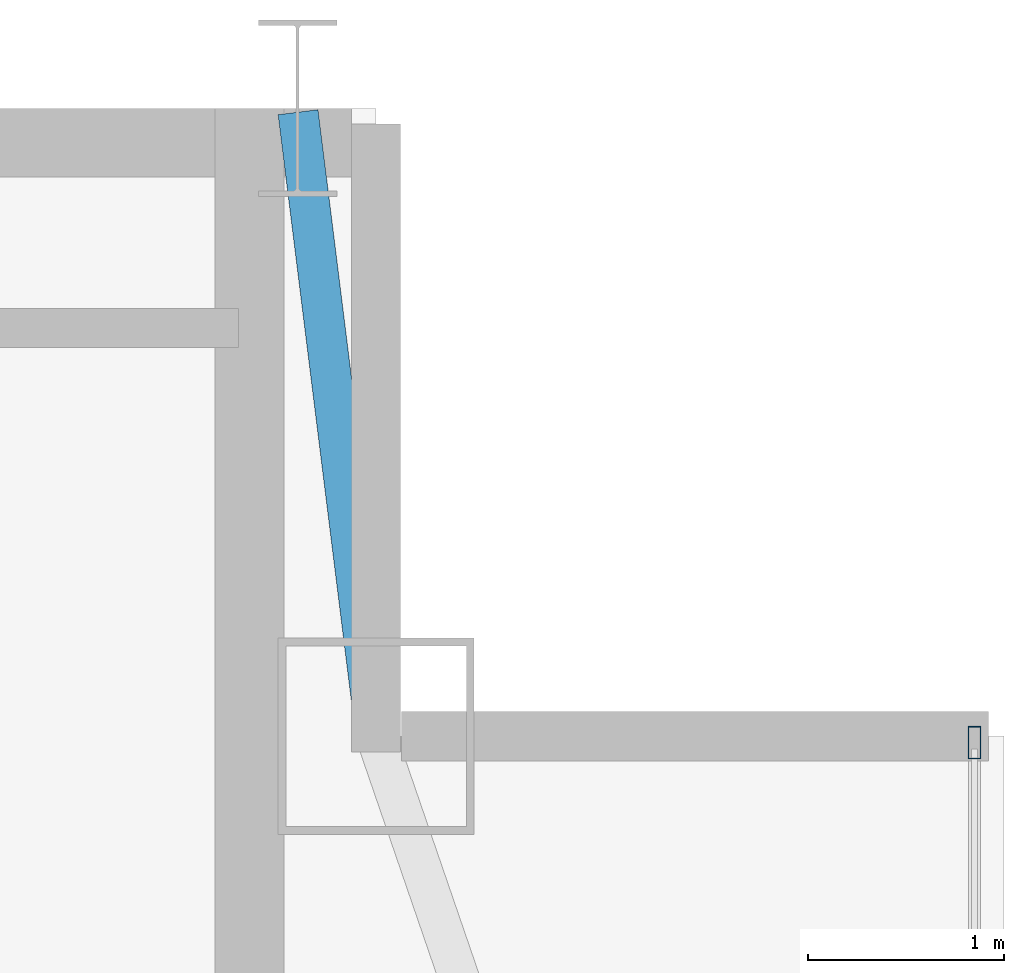
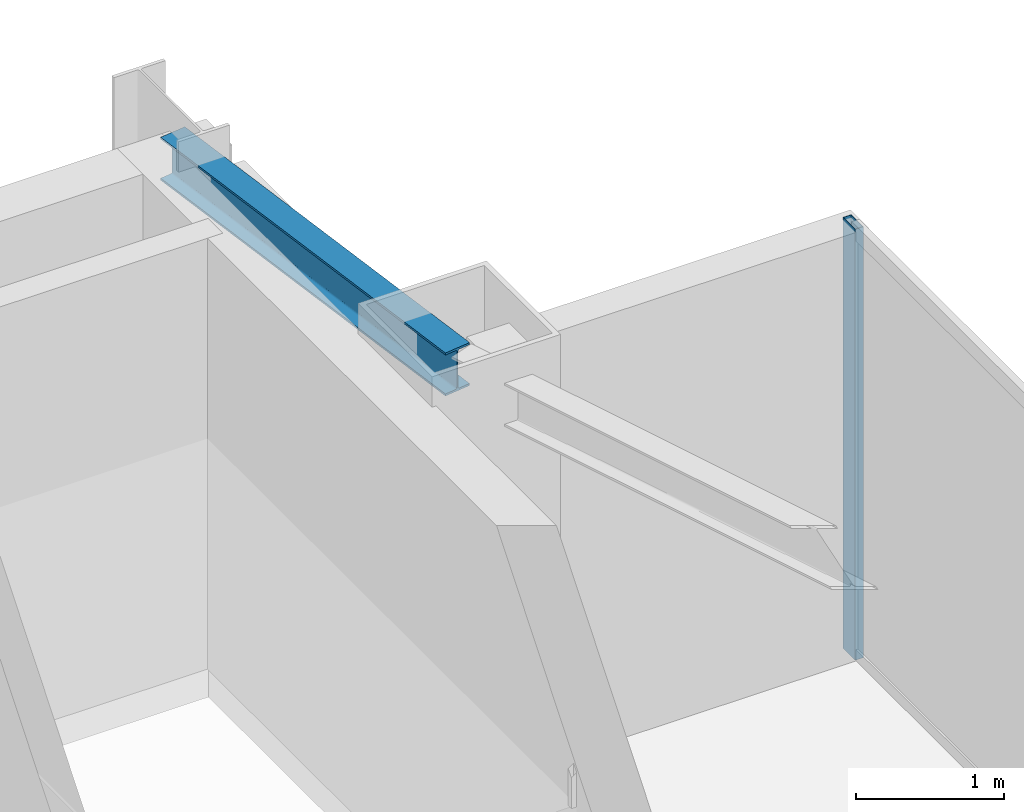
# One storey, part 17 of 25: 1 beam, 1 member, 1 element without a shape of its own.
"""IFC4 building model written with IfcOpenShell, lengths in metres."""

import ifcopenshell
import ifcopenshell.guid

model = None  # the IFC model being written
_history = None  # IfcOwnerHistory: only IFC2X3 demands one
_inside = {}  # id of a spatial element -> (the spatial element, [elements in it])
_under = {}  # id of a project, library or spatial element -> (it, [spatial elements below it])
_declared = {}  # id of a project -> (the project, [libraries it declares])
_typed = {}  # id of a type object -> (the type object, [elements of that type])
_made_of = {}  # id of a material, layer set ... -> (it, [elements and type objects made of it])


def new_model(schema):
    """Start an empty IFC model of exactly this schema.

    Asked for "IFC4X3", IfcOpenShell would pick the latest addendum, in which some entities
    have other attributes; the version numbers below select the first issue.
    IFC2X3 requires an IfcOwnerHistory on every rooted entity: one is made here for all.
    """
    global model, _history
    if schema == "IFC4X3":
        model = ifcopenshell.file(schema_version=(4, 3, 0, 0))
    else:
        model = ifcopenshell.file(schema=schema)
    _inside.clear()
    _under.clear()
    _declared.clear()
    _typed.clear()
    _made_of.clear()
    _history = None
    if model.schema == "IFC2X3":
        org = make("IfcOrganization", Name="unknown")
        user = make(
            "IfcPersonAndOrganization",
            ThePerson=make("IfcPerson", FamilyName="unknown"),
            TheOrganization=org,
        )
        app = make(
            "IfcApplication",
            ApplicationDeveloper=org,
            Version="unknown",
            ApplicationFullName="unknown",
            ApplicationIdentifier="unknown",
        )
        _history = make(
            "IfcOwnerHistory",
            OwningUser=user,
            OwningApplication=app,
            ChangeAction="ADDED",
            CreationDate=0,
        )
    return model


def make(cls, **values):
    """One entity of the class cls with the attributes given. An attribute that is None is left unset."""
    return model.create_entity(
        cls, **{name: value for name, value in values.items() if value is not None}
    )


def rooted(cls, **values):
    """An entity with a GlobalId (a new one), such as an element, a storey or a relation."""
    return make(cls, GlobalId=ifcopenshell.guid.new(), OwnerHistory=_history, **values)


def si_unit(unit_type, name, prefix=None):
    """IfcSIUnit, for example si_unit("LENGTHUNIT", "METRE", prefix="MILLI")."""
    return make("IfcSIUnit", UnitType=unit_type, Prefix=prefix, Name=name)


def assignment(units):
    """IfcUnitAssignment: the units of a project."""
    return None if units is None else make("IfcUnitAssignment", Units=units)


def point(xyz):
    """IfcCartesianPoint."""
    return None if xyz is None else make("IfcCartesianPoint", Coordinates=xyz)


def direction(xyz):
    """IfcDirection."""
    return None if xyz is None else make("IfcDirection", DirectionRatios=xyz)


def frame(location, z_axis=None, x_axis=None):
    """IfcAxis2Placement3D, a coordinate frame: its origin and axes. An axis left out is left unset."""
    return make(
        "IfcAxis2Placement3D",
        Location=point(location),
        Axis=direction(z_axis),
        RefDirection=direction(x_axis),
    )


def frame_2d(location, x_axis=None):
    """IfcAxis2Placement2D, a coordinate frame in the plane: its origin and x axis."""
    return make(
        "IfcAxis2Placement2D", Location=point(location), RefDirection=direction(x_axis)
    )


def origin():
    """The frame at (0, 0, 0) with its axes left unset."""
    return frame((0.0, 0.0, 0.0))


def origin_2d():
    """The frame at (0, 0) in the plane with its x axis left unset."""
    return frame_2d((0.0, 0.0))


def place(relative_to, where):
    """IfcLocalPlacement: puts the frame where relative to a parent placement (None: the world)."""
    return make(
        "IfcLocalPlacement", PlacementRelTo=relative_to, RelativePlacement=where
    )


def context(
    kind, dimensions, precision=None, world=None, true_north=None, identifier=None
):
    """IfcGeometricRepresentationContext, for example the 3D "Model" context."""
    return make(
        "IfcGeometricRepresentationContext",
        ContextIdentifier=identifier,
        ContextType=kind,
        CoordinateSpaceDimension=dimensions,
        Precision=precision,
        WorldCoordinateSystem=world,
        TrueNorth=true_north,
    )


def subcontext(parent, identifier, kind, view, scale=None):
    """IfcGeometricRepresentationSubContext, for example "Body" below "Model"."""
    return make(
        "IfcGeometricRepresentationSubContext",
        ContextIdentifier=identifier,
        ContextType=kind,
        ParentContext=parent,
        TargetScale=scale,
        TargetView=view,
    )


def project(units=None, contexts=None):
    """IfcProject with its units and contexts."""
    return rooted(
        "IfcProject",
        Name="project",
        RepresentationContexts=contexts,
        UnitsInContext=assignment(units),
    )


def spatial(cls, under=None, at=None, **own):
    """A site, building, storey or space (cls), placed at a placement, below another one or the project."""
    s = rooted(cls, ObjectPlacement=at, **own)
    if under is not None:
        _under.setdefault(under.id(), (under, []))[1].append(s)
    return s


def profile(cls, at=None, kind="AREA", **sizes):
    """A parametric profile (cls). Its sizes go by their IFC names, for example OverallWidth=200.0."""
    return make(cls, ProfileType=kind, Position=at, **sizes)


def hollow_rectangle(**sizes):
    """IfcRectangleHollowProfileDef."""
    return profile("IfcRectangleHollowProfileDef", **sizes)


def i_section(**sizes):
    """IfcIShapeProfileDef."""
    return profile("IfcIShapeProfileDef", **sizes)


def extrude(swept, where, along, depth):
    """IfcExtrudedAreaSolid: the profile swept, set in the frame where, extruded along a direction by depth."""
    return make(
        "IfcExtrudedAreaSolid",
        SweptArea=swept,
        Position=where,
        ExtrudedDirection=direction(along),
        Depth=depth,
    )


def shape(context_of_items, identifier, shape_type, items):
    """IfcShapeRepresentation: the items that make up one representation, for example the "Body"."""
    return make(
        "IfcShapeRepresentation",
        ContextOfItems=context_of_items,
        RepresentationIdentifier=identifier,
        RepresentationType=shape_type,
        Items=items,
    )


def source(mapping_origin, context_of_items, identifier, shape_type, items):
    """IfcRepresentationMap: a shape defined once, which mapped items show again and again."""
    return make(
        "IfcRepresentationMap",
        MappingOrigin=mapping_origin,
        MappedRepresentation=shape(context_of_items, identifier, shape_type, items),
    )


def transform(
    local_origin,
    x_axis=None,
    y_axis=None,
    z_axis=None,
    scale=None,
    scale2=None,
    scale3=None,
    uniform=True,
):
    """IfcCartesianTransformationOperator3D, or its non-uniform kind. x_axis, y_axis, z_axis: its Axis1, 2, 3."""
    if uniform:
        return make(
            "IfcCartesianTransformationOperator3D",
            Axis1=direction(x_axis),
            Axis2=direction(y_axis),
            LocalOrigin=point(local_origin),
            Scale=scale,
            Axis3=direction(z_axis),
        )
    return make(
        "IfcCartesianTransformationOperator3DnonUniform",
        Axis1=direction(x_axis),
        Axis2=direction(y_axis),
        LocalOrigin=point(local_origin),
        Scale=scale,
        Axis3=direction(z_axis),
        Scale2=scale2,
        Scale3=scale3,
    )


def mapped(mapping_source, mapping_target):
    """IfcMappedItem: shows the shape of a source again, moved by a transform."""
    return make(
        "IfcMappedItem", MappingSource=mapping_source, MappingTarget=mapping_target
    )


def material(Name=None, Category=None):
    """IfcMaterial."""
    return make("IfcMaterial", Name=Name, Category=Category)


def layer(
    of_material, thickness, ventilated=None, Name=None, Category=None, Priority=None
):
    """IfcMaterialLayer: one layer of a wall or slab, of a material (None: an air gap)."""
    return make(
        "IfcMaterialLayer",
        Material=of_material,
        LayerThickness=thickness,
        IsVentilated=ventilated,
        Name=Name,
        Category=Category,
        Priority=Priority,
    )


def layer_set(layers, Name=None):
    """IfcMaterialLayerSet."""
    return make("IfcMaterialLayerSet", MaterialLayers=layers, LayerSetName=Name)


def material_profile(
    of_material, cross_section, Name=None, Category=None, Priority=None
):
    """IfcMaterialProfile: a cross section and its material."""
    return make(
        "IfcMaterialProfile",
        Name=Name,
        Material=of_material,
        Profile=cross_section,
        Priority=Priority,
        Category=Category,
    )


def profile_set(profiles, Name=None, composite=None):
    """IfcMaterialProfileSet."""
    return make(
        "IfcMaterialProfileSet",
        Name=Name,
        MaterialProfiles=profiles,
        CompositeProfile=composite,
    )


def made_of(thing, what):
    """Note that an element or type object is made of a material, layer set ...; save() writes the relation."""
    if what is not None:
        _made_of.setdefault(what.id(), (what, []))[1].append(thing)
    return thing


def type_object(cls, material=None, **own):
    """A type object (cls), such as IfcWallType, which elements share."""
    return made_of(rooted(cls, **own), material)


def type_shapes(of_type, sources):
    """Give a type object the sources (RepresentationMaps) that its elements show as mapped items."""
    of_type.RepresentationMaps = sources


def element(
    cls,
    number,
    at=None,
    inside=None,
    cuts=None,
    type_object=None,
    material=None,
    context=None,
    identifier="Body",
    shape_type=None,
    held_by="IfcProductDefinitionShape",
    body=None,
    shapes=None,
    **own,
):
    """One element of the class cls, such as IfcWall. Its Tag is "e" and its number.

    at: its placement. inside: the storey or other place that contains it. cuts: it is an
    opening in that element (IfcRelVoidsElement). A single representation is given by context,
    identifier, shape_type and body (its items); several are given by shapes. held_by: the class
    of the entity that holds the representations. save() writes the other relations.
    """
    e = rooted(cls, Tag="e%d" % number, ObjectPlacement=at, **own)
    if body is not None:
        shapes = [shape(context, identifier, shape_type, body)]
    if shapes is not None:
        e.Representation = make(held_by, Representations=shapes)
    if inside is not None:
        _inside.setdefault(inside.id(), (inside, []))[1].append(e)
    if cuts is not None:
        rooted(
            "IfcRelVoidsElement", RelatingBuildingElement=cuts, RelatedOpeningElement=e
        )
    if type_object is not None:
        _typed.setdefault(type_object.id(), (type_object, []))[1].append(e)
    return made_of(e, material)


def aggregate(whole, parts):
    """IfcRelAggregates: a whole, such as a stair, and the parts it consists of."""
    return rooted("IfcRelAggregates", RelatingObject=whole, RelatedObjects=parts)


def save(model, path):
    """Write the relations noted so far, then the file.

    IfcRelAggregates (storeys below a building ...), IfcRelContainedInSpatialStructure (elements
    in a storey), IfcRelDefinesByType, IfcRelAssociatesMaterial and IfcRelDeclares: one each for
    every whole, place, type object, material and project.
    """
    for whole, parts in _under.values():
        aggregate(whole, parts)
    for where, things in _inside.values():
        rooted(
            "IfcRelContainedInSpatialStructure",
            RelatedElements=things,
            RelatingStructure=where,
        )
    for kind, things in _typed.values():
        rooted("IfcRelDefinesByType", RelatedObjects=things, RelatingType=kind)
    for what, things in _made_of.values():
        rooted("IfcRelAssociatesMaterial", RelatedObjects=things, RelatingMaterial=what)
    for by, libraries in _declared.values():
        rooted("IfcRelDeclares", RelatingContext=by, RelatedDefinitions=libraries)
    model.write(path)


model = new_model("IFC4")

# Units and contexts
model_context = context("Model", 3, precision=1e-05, world=origin(), true_north=direction((0.0, 1.0)))
body_context = subcontext(model_context, "Body", "Model", "MODEL_VIEW")
ifc_project = project(units=[si_unit("LENGTHUNIT", "METRE"), si_unit("AREAUNIT", "SQUARE_METRE"), si_unit("VOLUMEUNIT", "CUBIC_METRE"), si_unit("PLANEANGLEUNIT", "RADIAN"), si_unit("MASSUNIT", "GRAM", prefix="KILO")], contexts=[model_context])

# Site, building, storey
site_placement = place(None, origin())
site = spatial("IfcSite", under=ifc_project, at=site_placement, CompositionType="ELEMENT")
building_placement = place(site_placement, origin())
building = spatial("IfcBuilding", under=site, at=building_placement, Name="Varnel Quay Broadcast Tower", CompositionType="ELEMENT")
storey_placement = place(building_placement, frame((0.0, 0.0, 273.60009765625)))
storey = spatial("IfcBuildingStorey", under=building, at=storey_placement, Name="L68", CompositionType="ELEMENT", Elevation=273.60009765625)

# Beam
ifc_material_1 = material(Name="Structural Steel CSA G40.21 350W", Category="steel")
ifc_material_profile_1 = material_profile(ifc_material_1, i_section(OverallWidth=0.205078125, OverallDepth=0.35400390625, WebThickness=0.009521484375, FlangeThickness=0.016845703125, FilletRadius=0.012939453125, at=origin_2d()), Name="W360X79")
ifc_profile_set_1 = profile_set([ifc_material_profile_1], Name="Structural Steel CSA G40.21 350W")
beam_type = type_object("IfcBeamType", Name="Beam_W360X79", PredefinedType="SPANDREL", material=ifc_profile_set_1)
shared_shape_1 = source(origin(), body_context, "Body", "SweptSolid", [
    extrude(i_section(OverallWidth=0.205078125, OverallDepth=0.35400390625, WebThickness=0.009521484375, FlangeThickness=0.016845703125, FilletRadius=0.012939453125, at=origin_2d()), origin(), (0.0, 0.0, 1.0), 3.18505859375),
])
type_shapes(beam_type, [shared_shape_1])
beam_placement = place(storey_placement, frame((52.402587890625, 46.7802734375, 3.372802734375), z_axis=(0.124025300311, -0.992279055953, 0.0), x_axis=(0.992279055953, 0.124025300311, 0.0)))
element("IfcBeam", 1, at=beam_placement, inside=storey, type_object=beam_type, Name="L68 NE Tie Spandrel", PredefinedType="SPANDREL", context=body_context, shape_type="MappedRepresentation", body=[
    mapped(shared_shape_1, transform((0.0, 0.0, 0.0), x_axis=(1.0, 0.0, 0.0), y_axis=(0.0, 1.0, 0.0), z_axis=(0.0, 0.0, 1.0), scale=1.0)),
])

# Curtain wall, member
ifc_material_2 = material(Name="Anodised Bronze Aluminium 6063-T6", Category="aluminium")
ifc_layer = layer(ifc_material_2, 0.18994140625, Name="Anodised Bronze Aluminium 6063-T6")
ifc_layer_set = layer_set([ifc_layer], Name="Anodised Bronze Aluminium 6063-T6")
curtain_wall_type = type_object("IfcCurtainWallType", Name="CW_UpperTower", PredefinedType="NOTDEFINED", material=ifc_layer_set)
curtain_wall_placement = place(storey_placement, origin())
curtain_wall = element("IfcCurtainWall", 2, at=curtain_wall_placement, inside=storey, type_object=curtain_wall_type, Name="L68 East Unitised Curtain Wall", PredefinedType="NOTDEFINED")
ifc_material_profile_2 = material_profile(ifc_material_2, hollow_rectangle(XDim=0.06494140625, YDim=0.1650390625, WallThickness=0.00341796875, at=origin_2d()), Name="ALU65X165X3.5")
ifc_profile_set_2 = profile_set([ifc_material_profile_2], Name="Anodised Bronze Aluminium 6063-T6")
member_type = type_object("IfcMemberType", Name="Mull_CWS-03", PredefinedType="MULLION", material=ifc_profile_set_2)
shared_shape_2 = source(origin(), body_context, "Body", "SweptSolid", [
    extrude(hollow_rectangle(XDim=0.06494140625, YDim=0.1650390625, WallThickness=0.00341796875, at=origin_2d()), origin(), (0.0, 0.0, 1.0), 3.5498046875),
])
type_shapes(member_type, [shared_shape_2])
member_placement = place(storey_placement, frame((55.85009765625, 43.5673828125, 0.0), z_axis=(0.0, 0.0, 1.0), x_axis=(-1.0, 0.0, 0.0)))
member = element("IfcMember", 3, at=member_placement, type_object=member_type, Name="CWS-03 mullion 3", PredefinedType="MULLION", context=body_context, shape_type="MappedRepresentation", body=[
    mapped(shared_shape_2, transform((0.0, 0.0, 0.0), x_axis=(1.0, 0.0, 0.0), y_axis=(0.0, 1.0, 0.0), z_axis=(0.0, 0.0, 1.0), scale=1.0)),
])
aggregate(curtain_wall, [member])

save(model, "model.ifc")
